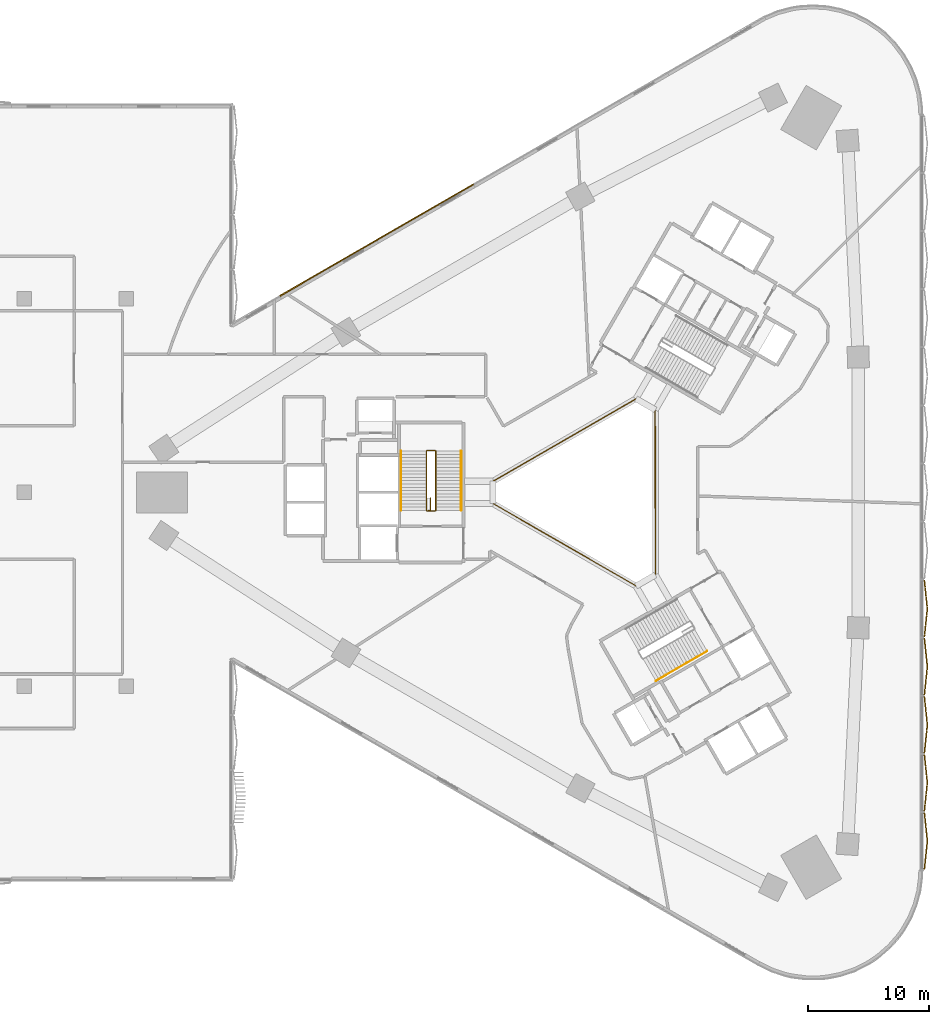
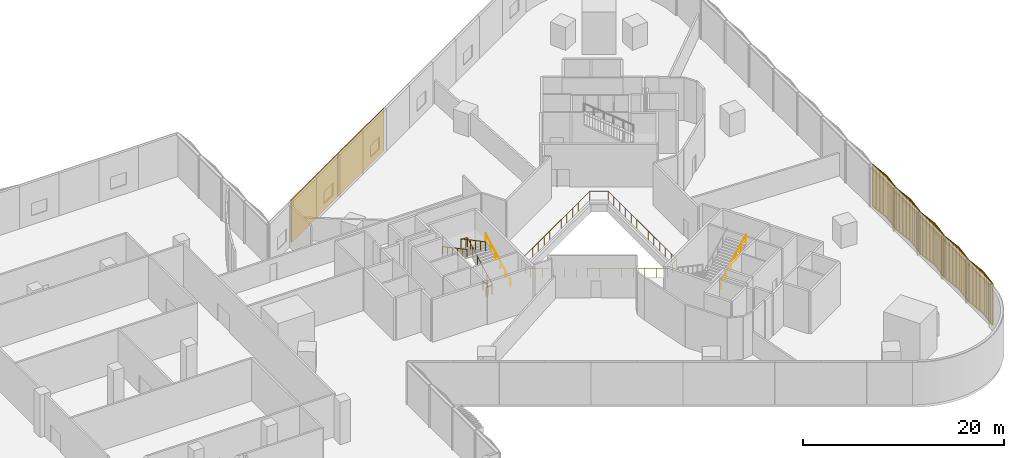
# One storey, part 27 of 31: 7 coverings, 5 railings.
"""IFC4 building model written with IfcOpenShell, lengths in metres."""

from ifc_helpers import new_model, si_unit, direction, frame, frame_2d, origin, origin_2d, place, context, subcontext, project, spatial, rectangle, circle, extrude, source, transform, mapped, material, layer, layer_set, type_object, element, save


model = new_model("IFC4")

# Units and contexts
model_context = context("Model", 3, precision=1e-05, world=origin(), true_north=direction((0.0, 1.0)))
body_context = subcontext(model_context, "Body", "Model", "MODEL_VIEW")
ifc_project = project(units=[si_unit("LENGTHUNIT", "METRE"), si_unit("AREAUNIT", "SQUARE_METRE"), si_unit("VOLUMEUNIT", "CUBIC_METRE"), si_unit("PLANEANGLEUNIT", "RADIAN"), si_unit("MASSUNIT", "GRAM", prefix="KILO")], contexts=[model_context])

# Site, building, storey
site_placement = place(None, origin())
site = spatial("IfcSite", under=ifc_project, at=site_placement, CompositionType="ELEMENT")
building_placement = place(site_placement, origin())
building = spatial("IfcBuilding", under=site, at=building_placement, Name="Tamra Quay Hotel Tower", CompositionType="ELEMENT")
storey_placement = place(building_placement, frame((0.0, 0.0, 14.0)))
storey = spatial("IfcBuildingStorey", under=building, at=storey_placement, Name="L02", CompositionType="ELEMENT", Elevation=14.0)

# Railing
ifc_material_1 = material(Name="Guard atrium edge 1100")
railing_type_1 = type_object("IfcRailingType", Name="Guard atrium edge 1100", PredefinedType="GUARDRAIL", material=ifc_material_1)
railing_1_placement = place(storey_placement, frame((3.409912109375, 7.73095703125, 0.0)))
element("IfcRailing", 1, at=railing_1_placement, inside=storey, type_object=railing_type_1, Name="G-A", PredefinedType="GUARDRAIL", context=body_context, shape_type="SweptSolid", body=[
    extrude(circle(Radius=0.02392578125, at=origin_2d()), frame((0.0, 0.0, 1.076171875), z_axis=(0.864522091971, -0.502594819406, 0.0), x_axis=(0.502594819406, 0.864522091971, 0.0)), (0.0, 0.0, 1.0), 1.820556640625),
    extrude(circle(Radius=0.02392578125, at=origin_2d()), frame((1.573974609375, -0.9150390625, 1.076171875), z_axis=(0.000967828205, -0.999999531654, 0.0), x_axis=(0.999999531654, 0.000967828205, 0.0)), (0.0, 0.0, 1.0), 13.621826171875),
    extrude(circle(Radius=0.02392578125, at=origin_2d()), frame((1.587158203125, -14.536865234375, 1.076171875), z_axis=(-0.865052007415, -0.501682194688, 0.0), x_axis=(0.501682194688, -0.865052007415, 0.0)), (0.0, 0.0, 1.0), 1.832275390625),
    extrude(circle(Radius=0.02392578125, at=origin_2d()), frame((0.002197265625, -15.4560546875, 1.076171875), z_axis=(-0.866473474501, 0.499223114434, 0.0), x_axis=(-0.499223114434, -0.866473474501, 0.0)), (0.0, 0.0, 1.0), 13.617431640625),
    extrude(circle(Radius=0.02392578125, at=origin_2d()), frame((-11.796875, -8.657958984375, 1.076171875), z_axis=(-0.005428226658, 0.999985267069, 0.0), x_axis=(-0.999985267069, -0.005428226658, 0.0)), (0.0, 0.0, 1.0), 1.843994140625),
    extrude(circle(Radius=0.02392578125, at=origin_2d()), frame((-11.806884765625, -6.81396484375, 1.076171875), z_axis=(0.86589546234, 0.500224997676, 0.0), x_axis=(-0.500224997676, 0.86589546234, 0.0)), (0.0, 0.0, 1.0), 13.610107421875),
    extrude(circle(Radius=0.02392578125, at=origin_2d()), frame((-0.02197265625, -0.005859375, 1.076171875), z_axis=(0.966234939601, 0.25766265056, 0.0), x_axis=(-0.25766265056, 0.966234939601, 0.0)), (0.0, 0.0, 1.0), 0.022705078125),
    extrude(circle(Radius=0.02099609375, at=origin_2d()), origin(), (0.0, 0.0, 1.0), 1.052001953125),
    extrude(circle(Radius=0.02099609375, at=origin_2d()), frame((0.787109375, -0.45751953125, 0.0)), (0.0, 0.0, 1.0), 1.052001953125),
    extrude(circle(Radius=0.02099609375, at=origin_2d()), frame((1.573974609375, -0.9150390625, 0.0)), (0.0, 0.0, 1.0), 1.052001953125),
    extrude(circle(Radius=0.02099609375, at=origin_2d()), frame((1.5751953125, -2.05029296875, 0.0)), (0.0, 0.0, 1.0), 1.052001953125),
    extrude(circle(Radius=0.02099609375, at=origin_2d()), frame((1.576171875, -3.185302734375, 0.0)), (0.0, 0.0, 1.0), 1.052001953125),
    extrude(circle(Radius=0.02099609375, at=origin_2d()), frame((1.5771484375, -4.320556640625, 0.0)), (0.0, 0.0, 1.0), 1.052001953125),
    extrude(circle(Radius=0.02099609375, at=origin_2d()), frame((1.578369140625, -5.45556640625, 0.0)), (0.0, 0.0, 1.0), 1.052001953125),
    extrude(circle(Radius=0.02099609375, at=origin_2d()), frame((1.57958984375, -6.5908203125, 0.0)), (0.0, 0.0, 1.0), 1.052001953125),
    extrude(circle(Radius=0.02099609375, at=origin_2d()), frame((1.58056640625, -7.72607421875, 0.0)), (0.0, 0.0, 1.0), 1.052001953125),
    extrude(circle(Radius=0.02099609375, at=origin_2d()), frame((1.58154296875, -8.861083984375, 0.0)), (0.0, 0.0, 1.0), 1.052001953125),
    extrude(circle(Radius=0.02099609375, at=origin_2d()), frame((1.582763671875, -9.996337890625, 0.0)), (0.0, 0.0, 1.0), 1.052001953125),
    extrude(circle(Radius=0.02099609375, at=origin_2d()), frame((1.583984375, -11.13134765625, 0.0)), (0.0, 0.0, 1.0), 1.052001953125),
    extrude(circle(Radius=0.02099609375, at=origin_2d()), frame((1.5849609375, -12.2666015625, 0.0)), (0.0, 0.0, 1.0), 1.052001953125),
    extrude(circle(Radius=0.02099609375, at=origin_2d()), frame((1.5859375, -13.401611328125, 0.0)), (0.0, 0.0, 1.0), 1.052001953125),
    extrude(circle(Radius=0.02099609375, at=origin_2d()), frame((1.587158203125, -14.536865234375, 0.0)), (0.0, 0.0, 1.0), 1.052001953125),
    extrude(circle(Radius=0.02099609375, at=origin_2d()), frame((0.794677734375, -14.99658203125, 0.0)), (0.0, 0.0, 1.0), 1.052001953125),
    extrude(circle(Radius=0.02099609375, at=origin_2d()), frame((0.002197265625, -15.4560546875, 0.0)), (0.0, 0.0, 1.0), 1.052001953125),
    extrude(circle(Radius=0.02099609375, at=origin_2d()), frame((-0.98095703125, -14.8896484375, 0.0)), (0.0, 0.0, 1.0), 1.052001953125),
    extrude(circle(Radius=0.02099609375, at=origin_2d()), frame((-1.96435546875, -14.322998046875, 0.0)), (0.0, 0.0, 1.0), 1.052001953125),
    extrude(circle(Radius=0.02099609375, at=origin_2d()), frame((-2.947509765625, -13.756591796875, 0.0)), (0.0, 0.0, 1.0), 1.052001953125),
    extrude(circle(Radius=0.02099609375, at=origin_2d()), frame((-3.930908203125, -13.18994140625, 0.0)), (0.0, 0.0, 1.0), 1.052001953125),
    extrude(circle(Radius=0.02099609375, at=origin_2d()), frame((-4.9140625, -12.62353515625, 0.0)), (0.0, 0.0, 1.0), 1.052001953125),
    extrude(circle(Radius=0.02099609375, at=origin_2d()), frame((-5.8974609375, -12.05712890625, 0.0)), (0.0, 0.0, 1.0), 1.052001953125),
    extrude(circle(Radius=0.02099609375, at=origin_2d()), frame((-6.880615234375, -11.490478515625, 0.0)), (0.0, 0.0, 1.0), 1.052001953125),
    extrude(circle(Radius=0.02099609375, at=origin_2d()), frame((-7.86376953125, -10.924072265625, 0.0)), (0.0, 0.0, 1.0), 1.052001953125),
    extrude(circle(Radius=0.02099609375, at=origin_2d()), frame((-8.84716796875, -10.357421875, 0.0)), (0.0, 0.0, 1.0), 1.052001953125),
    extrude(circle(Radius=0.02099609375, at=origin_2d()), frame((-9.830322265625, -9.791015625, 0.0)), (0.0, 0.0, 1.0), 1.052001953125),
    extrude(circle(Radius=0.02099609375, at=origin_2d()), frame((-10.813720703125, -9.224365234375, 0.0)), (0.0, 0.0, 1.0), 1.052001953125),
    extrude(circle(Radius=0.02099609375, at=origin_2d()), frame((-11.796875, -8.657958984375, 0.0)), (0.0, 0.0, 1.0), 1.052001953125),
    extrude(circle(Radius=0.02099609375, at=origin_2d()), frame((-11.8017578125, -7.73583984375, 0.0)), (0.0, 0.0, 1.0), 1.052001953125),
    extrude(circle(Radius=0.02099609375, at=origin_2d()), frame((-11.806884765625, -6.81396484375, 0.0)), (0.0, 0.0, 1.0), 1.052001953125),
    extrude(circle(Radius=0.02099609375, at=origin_2d()), frame((-10.82470703125, -6.24658203125, 0.0)), (0.0, 0.0, 1.0), 1.052001953125),
    extrude(circle(Radius=0.02099609375, at=origin_2d()), frame((-9.8427734375, -5.67919921875, 0.0)), (0.0, 0.0, 1.0), 1.052001953125),
    extrude(circle(Radius=0.02099609375, at=origin_2d()), frame((-8.860595703125, -5.11181640625, 0.0)), (0.0, 0.0, 1.0), 1.052001953125),
    extrude(circle(Radius=0.02099609375, at=origin_2d()), frame((-7.878662109375, -4.544677734375, 0.0)), (0.0, 0.0, 1.0), 1.052001953125),
    extrude(circle(Radius=0.02099609375, at=origin_2d()), frame((-6.896484375, -3.977294921875, 0.0)), (0.0, 0.0, 1.0), 1.052001953125),
    extrude(circle(Radius=0.02099609375, at=origin_2d()), frame((-5.91455078125, -3.409912109375, 0.0)), (0.0, 0.0, 1.0), 1.052001953125),
    extrude(circle(Radius=0.02099609375, at=origin_2d()), frame((-4.932373046875, -2.842529296875, 0.0)), (0.0, 0.0, 1.0), 1.052001953125),
    extrude(circle(Radius=0.02099609375, at=origin_2d()), frame((-3.9501953125, -2.275146484375, 0.0)), (0.0, 0.0, 1.0), 1.052001953125),
    extrude(circle(Radius=0.02099609375, at=origin_2d()), frame((-2.96826171875, -1.7080078125, 0.0)), (0.0, 0.0, 1.0), 1.052001953125),
    extrude(circle(Radius=0.02099609375, at=origin_2d()), frame((-1.986083984375, -1.140625, 0.0)), (0.0, 0.0, 1.0), 1.052001953125),
    extrude(circle(Radius=0.02099609375, at=origin_2d()), frame((-1.004150390625, -0.5732421875, 0.0)), (0.0, 0.0, 1.0), 1.052001953125),
    extrude(circle(Radius=0.02099609375, at=origin_2d()), frame((-0.02197265625, -0.005859375, 0.0)), (0.0, 0.0, 1.0), 1.052001953125),
])

# Coverings
ifc_material_2 = material(Name="Precast concrete M60 terracotta-coloured pierced relief", Category="masonry")
ifc_layer = layer(ifc_material_2, 0.10009765625)
ifc_layer_set = layer_set([ifc_layer], Name="PIERCED RELIEF PANEL 100")
covering_type_1 = type_object("IfcCoveringType", Name="PIERCED RELIEF PANEL 100", PredefinedType="CLADDING", material=ifc_layer_set)
for number, where, z_axis, x_axis, name in (
    (2, (-14.017822265625, 23.13330078125, 0.0), (0.0, 0.0, 1.0), (-0.866214936261, -0.499671576337, 0.0), "Relief panel L02.NW.06"),
    (3, (-22.021484375, 18.5166015625, 0.0), (0.0, 0.0, 1.0), (-0.866214936261, -0.499671576337, 0.0), "Relief panel L02.NW.08"),
):
    element("IfcCovering", number, at=place(storey_placement, frame(where, z_axis=z_axis, x_axis=x_axis)), inside=storey, type_object=covering_type_1, Name=name, PredefinedType="CLADDING", context=body_context, shape_type="SweptSolid", body=[
        extrude(rectangle(XDim=9.2197265625, YDim=0.10009765625, at=origin_2d()), origin(), (0.0, 0.0, 1.0), 5.14990234375),
    ])

# Railings
ifc_material_3 = material(Name="Stair guard 1100")
railing_type_2 = type_object("IfcRailingType", Name="Stair guard 1100", PredefinedType="GUARDRAIL", material=ifc_material_3)
railing_2_placement = place(storey_placement, frame((-13.561767578125, -0.460205078125, 0.0)))
element("IfcRailing", 4, at=railing_2_placement, inside=storey, type_object=railing_type_2, Name="GR", PredefinedType="GUARDRAIL", context=body_context, shape_type="SweptSolid", body=[
    extrude(circle(Radius=0.02392578125, at=origin_2d()), frame((0.0, 0.0, 1.076171875), z_axis=(0.0, -1.0, 0.0), x_axis=(1.0, 0.0, 0.0)), (0.0, 0.0, 1.0), 1.0),
    extrude(circle(Radius=0.02392578125, at=origin_2d()), frame((0.0, -1.0, 1.076171875), z_axis=(-0.970192322573, -0.242336248258, 0.0), x_axis=(0.242336248258, -0.970192322573, 0.0)), (0.0, 0.0, 1.0), 0.2880859375),
    extrude(circle(Radius=0.02392578125, at=origin_2d()), frame((-0.279541015625, -1.06982421875, 1.076171875), z_axis=(1.0, 0.0, 0.0), x_axis=(0.0, 1.0, 0.0)), (0.0, 0.0, 1.0), 0.658935546875),
    extrude(circle(Radius=0.02392578125, at=origin_2d()), frame((0.37939453125, -1.06982421875, 1.076171875), z_axis=(0.310570770478, 0.310570770478, 0.898382765334), x_axis=(-0.707106781187, 0.707106781187, 0.0)), (0.0, 0.0, 1.0), 0.1611328125),
    extrude(circle(Radius=0.02392578125, at=origin_2d()), frame((0.429443359375, -1.019775390625, 1.220703125), z_axis=(0.0, 0.882799760864, 0.469749488789), x_axis=(-1.0, 0.0, 0.0)), (0.0, 0.0, 1.0), 5.5458984375),
    extrude(circle(Radius=0.02392578125, at=origin_2d()), frame((0.429443359375, 3.876220703125, 3.826171875), z_axis=(-0.708833529934, 0.705375805398, 0.0), x_axis=(-0.705375805398, -0.708833529934, 0.0)), (0.0, 0.0, 1.0), 0.070556640625),
    extrude(circle(Radius=0.02392578125, at=origin_2d()), frame((0.37939453125, 3.926025390625, 3.826171875), z_axis=(-1.0, 0.0, 0.0), x_axis=(0.0, -1.0, 0.0)), (0.0, 0.0, 1.0), 0.658935546875),
    extrude(circle(Radius=0.02392578125, at=origin_2d()), frame((-0.279541015625, 3.926025390625, 3.826171875), z_axis=(-0.310716642909, -0.309200951968, 0.898804728026), x_axis=(0.705375805398, -0.708833529934, 0.0)), (0.0, 0.0, 1.0), 0.1611328125),
    extrude(circle(Radius=0.02392578125, at=origin_2d()), frame((-0.32958984375, 3.876220703125, 3.970703125), z_axis=(0.0, -0.882799760864, 0.469749488789), x_axis=(1.0, 0.0, 0.0)), (0.0, 0.0, 1.0), 5.5458984375),
    extrude(circle(Radius=0.02099609375, at=origin_2d()), origin(), (0.0, 0.0, 1.0), 1.052001953125),
    extrude(circle(Radius=0.02099609375, at=origin_2d()), frame((0.0, -1.0, 0.0)), (0.0, 0.0, 1.0), 1.052001953125),
    extrude(circle(Radius=0.02099609375, at=origin_2d()), frame((-0.279541015625, -1.06982421875, 0.0)), (0.0, 0.0, 1.0), 1.052001953125),
    extrude(circle(Radius=0.02099609375, at=origin_2d()), frame((0.37939453125, -1.06982421875, 0.0)), (0.0, 0.0, 1.0), 1.052001953125),
    extrude(circle(Radius=0.02099609375, at=origin_2d()), frame((0.429443359375, -1.019775390625, 0.144775390625)), (0.0, 0.0, 1.0), 1.052001953125),
    extrude(circle(Radius=0.02099609375, at=origin_2d()), frame((0.429443359375, -0.04052734375, 0.665771484375)), (0.0, 0.0, 1.0), 1.052001953125),
    extrude(circle(Radius=0.02099609375, at=origin_2d()), frame((0.429443359375, 0.938720703125, 1.186767578125)), (0.0, 0.0, 1.0), 1.052001953125),
    extrude(circle(Radius=0.02099609375, at=origin_2d()), frame((0.429443359375, 1.917724609375, 1.7080078125)), (0.0, 0.0, 1.0), 1.052001953125),
    extrude(circle(Radius=0.02099609375, at=origin_2d()), frame((0.429443359375, 2.89697265625, 2.22900390625)), (0.0, 0.0, 1.0), 1.052001953125),
    extrude(circle(Radius=0.02099609375, at=origin_2d()), frame((0.429443359375, 3.876220703125, 2.75)), (0.0, 0.0, 1.0), 1.052001953125),
    extrude(circle(Radius=0.02099609375, at=origin_2d()), frame((0.37939453125, 3.926025390625, 2.75)), (0.0, 0.0, 1.0), 1.052001953125),
    extrude(circle(Radius=0.02099609375, at=origin_2d()), frame((-0.279541015625, 3.926025390625, 2.75)), (0.0, 0.0, 1.0), 1.052001953125),
    extrude(circle(Radius=0.02099609375, at=origin_2d()), frame((-0.32958984375, 3.876220703125, 2.894775390625)), (0.0, 0.0, 1.0), 1.052001953125),
    extrude(circle(Radius=0.02099609375, at=origin_2d()), frame((-0.32958984375, 2.89697265625, 3.415771484375)), (0.0, 0.0, 1.0), 1.052001953125),
    extrude(circle(Radius=0.02099609375, at=origin_2d()), frame((-0.32958984375, 1.917724609375, 3.936767578125)), (0.0, 0.0, 1.0), 1.052001953125),
    extrude(circle(Radius=0.02099609375, at=origin_2d()), frame((-0.32958984375, 0.938720703125, 4.4580078125)), (0.0, 0.0, 1.0), 1.052001953125),
    extrude(circle(Radius=0.02099609375, at=origin_2d()), frame((-0.32958984375, -0.04052734375, 4.97900390625)), (0.0, 0.0, 1.0), 1.052001953125),
    extrude(circle(Radius=0.02099609375, at=origin_2d()), frame((-0.32958984375, -1.019775390625, 5.5)), (0.0, 0.0, 1.0), 1.052001953125),
])
ifc_material_4 = material(Name="Stair handrail 900")
railing_type_3 = type_object("IfcRailingType", Name="Stair handrail 900", PredefinedType="HANDRAIL", material=ifc_material_4)
railing_3_placement = place(storey_placement, frame((-11.0322265625, -1.47998046875, 0.144775390625)))
element("IfcRailing", 5, at=railing_3_placement, inside=storey, type_object=railing_type_3, Name="HR", PredefinedType="HANDRAIL", context=body_context, shape_type="SweptSolid", body=[
    extrude(circle(Radius=0.02392578125, at=origin_2d()), frame((0.0, 0.0, 0.8759765625), z_axis=(0.0, 0.882799760864, 0.469749488789), x_axis=(-1.0, 0.0, 0.0)), (0.0, 0.0, 1.0), 5.5458984375),
    extrude(circle(Radius=0.02099609375, at=origin_2d()), origin(), (0.0, 0.0, 1.0), 0.851806640625),
    extrude(circle(Radius=0.02099609375, at=origin_2d()), frame((0.0, 0.979248046875, 0.52099609375)), (0.0, 0.0, 1.0), 0.851806640625),
    extrude(circle(Radius=0.02099609375, at=origin_2d()), frame((0.0, 1.95849609375, 1.0419921875)), (0.0, 0.0, 1.0), 0.851806640625),
    extrude(circle(Radius=0.02099609375, at=origin_2d()), frame((0.0, 2.9375, 1.563232421875)), (0.0, 0.0, 1.0), 0.851806640625),
    extrude(circle(Radius=0.02099609375, at=origin_2d()), frame((0.0, 3.916748046875, 2.084228515625)), (0.0, 0.0, 1.0), 0.851806640625),
    extrude(circle(Radius=0.02099609375, at=origin_2d()), frame((0.0, 4.89599609375, 2.605224609375)), (0.0, 0.0, 1.0), 0.851806640625),
])
railing_4_placement = place(storey_placement, frame((-15.9912109375, 3.416015625, 2.894775390625)))
element("IfcRailing", 6, at=railing_4_placement, inside=storey, type_object=railing_type_3, Name="HR", PredefinedType="HANDRAIL", context=body_context, shape_type="SweptSolid", body=[
    extrude(circle(Radius=0.02392578125, at=origin_2d()), frame((0.0, 0.0, 0.8759765625), z_axis=(0.0, -0.882799760864, 0.469749488789), x_axis=(1.0, 0.0, 0.0)), (0.0, 0.0, 1.0), 5.5458984375),
    extrude(circle(Radius=0.02099609375, at=origin_2d()), origin(), (0.0, 0.0, 1.0), 0.851806640625),
    extrude(circle(Radius=0.02099609375, at=origin_2d()), frame((0.0, -0.979248046875, 0.52099609375)), (0.0, 0.0, 1.0), 0.851806640625),
    extrude(circle(Radius=0.02099609375, at=origin_2d()), frame((0.0, -1.95849609375, 1.0419921875)), (0.0, 0.0, 1.0), 0.851806640625),
    extrude(circle(Radius=0.02099609375, at=origin_2d()), frame((0.0, -2.9375, 1.563232421875)), (0.0, 0.0, 1.0), 0.851806640625),
    extrude(circle(Radius=0.02099609375, at=origin_2d()), frame((0.0, -3.916748046875, 2.084228515625)), (0.0, 0.0, 1.0), 0.851806640625),
    extrude(circle(Radius=0.02099609375, at=origin_2d()), frame((0.0, -4.89599609375, 2.605224609375)), (0.0, 0.0, 1.0), 0.851806640625),
])
railing_5_placement = place(storey_placement, frame((5.037353515625, -15.556884765625, 2.894775390625)))
element("IfcRailing", 7, at=railing_5_placement, inside=storey, type_object=railing_type_3, Name="HR", PredefinedType="HANDRAIL", context=body_context, shape_type="SweptSolid", body=[
    extrude(circle(Radius=0.02392578125, at=origin_2d()), frame((0.0, 0.0, 0.8759765625), z_axis=(0.764522017745, 0.441403942646, 0.469753811905), x_axis=(-0.500005904428, 0.866021994834, 0.0)), (0.0, 0.0, 1.0), 5.5458984375),
    extrude(circle(Radius=0.02099609375, at=origin_2d()), origin(), (0.0, 0.0, 1.0), 0.851806640625),
    extrude(circle(Radius=0.02099609375, at=origin_2d()), frame((0.847900390625, 0.489501953125, 0.52099609375)), (0.0, 0.0, 1.0), 0.851806640625),
    extrude(circle(Radius=0.02099609375, at=origin_2d()), frame((1.696044921875, 0.979248046875, 1.0419921875)), (0.0, 0.0, 1.0), 0.851806640625),
    extrude(circle(Radius=0.02099609375, at=origin_2d()), frame((2.5439453125, 1.46875, 1.563232421875)), (0.0, 0.0, 1.0), 0.851806640625),
    extrude(circle(Radius=0.02099609375, at=origin_2d()), frame((3.39208984375, 1.95849609375, 2.084228515625)), (0.0, 0.0, 1.0), 0.851806640625),
    extrude(circle(Radius=0.02099609375, at=origin_2d()), frame((4.239990234375, 2.447998046875, 2.605224609375)), (0.0, 0.0, 1.0), 0.851806640625),
])

# Coverings
ifc_material_5 = material(Name="Terracotta baguette extruded", Category="masonry")
covering_type_2 = type_object("IfcCoveringType", Name="BAGUETTE SCREEN PODIUM-SHALLOW H5150", PredefinedType="USERDEFINED", material=ifc_material_5)
shared_shape = source(origin(), body_context, "Body", "SweptSolid", [
    extrude(rectangle(XDim=2.365478515625, YDim=0.06005859375, at=frame_2d((1.1826171875, 0.030029296875))), frame((-2.35888671875, -0.0576171875, -0.1201171875), z_axis=(0.0, 0.0, 1.0), x_axis=(0.994521895368, -0.104528463268, 0.0)), (0.0, 0.0, 1.0), 0.1201171875),
    extrude(rectangle(XDim=2.365478515625, YDim=0.06005859375, at=frame_2d((1.1826171875, 0.030029296875))), frame((-2.35888671875, -0.0576171875, -5.14990234375), z_axis=(0.0, 0.0, 1.0), x_axis=(0.994521895368, -0.104528463268, 0.0)), (0.0, 0.0, 1.0), 0.1201171875),
    extrude(rectangle(XDim=0.094970703125, YDim=0.10009765625, at=frame_2d((0.04736328125, 0.050048828125))), frame((-2.35107421875, -0.133056640625, -5.090087890625)), (0.0, 0.0, 1.0), 5.030029296875),
    extrude(rectangle(XDim=0.094970703125, YDim=0.10009765625, at=frame_2d((0.04736328125, 0.050048828125))), frame((-2.2529296875, -0.1435546875, -5.090087890625)), (0.0, 0.0, 1.0), 5.030029296875),
    extrude(rectangle(XDim=0.094970703125, YDim=0.10009765625, at=frame_2d((0.04736328125, 0.050048828125))), frame((-2.155029296875, -0.15380859375, -5.090087890625)), (0.0, 0.0, 1.0), 5.030029296875),
    extrude(rectangle(XDim=0.094970703125, YDim=0.10009765625, at=frame_2d((0.04736328125, 0.050048828125))), frame((-2.056884765625, -0.1640625, -5.090087890625)), (0.0, 0.0, 1.0), 5.030029296875),
    extrude(rectangle(XDim=0.094970703125, YDim=0.10009765625, at=frame_2d((0.04736328125, 0.050048828125))), frame((-1.958984375, -0.17431640625, -5.090087890625)), (0.0, 0.0, 1.0), 5.030029296875),
    extrude(rectangle(XDim=0.094970703125, YDim=0.10009765625, at=frame_2d((0.04736328125, 0.050048828125))), frame((-1.86083984375, -0.1845703125, -5.090087890625)), (0.0, 0.0, 1.0), 5.030029296875),
    extrude(rectangle(XDim=0.094970703125, YDim=0.10009765625, at=frame_2d((0.04736328125, 0.050048828125))), frame((-1.762939453125, -0.195068359375, -5.090087890625)), (0.0, 0.0, 1.0), 5.030029296875),
    extrude(rectangle(XDim=0.094970703125, YDim=0.10009765625, at=frame_2d((0.04736328125, 0.050048828125))), frame((-1.664794921875, -0.205322265625, -5.090087890625)), (0.0, 0.0, 1.0), 5.030029296875),
    extrude(rectangle(XDim=0.094970703125, YDim=0.10009765625, at=frame_2d((0.04736328125, 0.050048828125))), frame((-1.56689453125, -0.215576171875, -5.090087890625)), (0.0, 0.0, 1.0), 5.030029296875),
    extrude(rectangle(XDim=0.094970703125, YDim=0.10009765625, at=frame_2d((0.04736328125, 0.050048828125))), frame((-1.46875, -0.225830078125, -5.090087890625)), (0.0, 0.0, 1.0), 5.030029296875),
    extrude(rectangle(XDim=0.094970703125, YDim=0.10009765625, at=frame_2d((0.04736328125, 0.050048828125))), frame((-1.370849609375, -0.236083984375, -5.090087890625)), (0.0, 0.0, 1.0), 5.030029296875),
    extrude(rectangle(XDim=0.094970703125, YDim=0.10009765625, at=frame_2d((0.04736328125, 0.050048828125))), frame((-1.272705078125, -0.24658203125, -5.090087890625)), (0.0, 0.0, 1.0), 5.030029296875),
    extrude(rectangle(XDim=0.094970703125, YDim=0.10009765625, at=frame_2d((0.04736328125, 0.050048828125))), frame((-1.1748046875, -0.2568359375, -5.090087890625)), (0.0, 0.0, 1.0), 5.030029296875),
    extrude(rectangle(XDim=0.094970703125, YDim=0.10009765625, at=frame_2d((0.04736328125, 0.050048828125))), frame((-1.07666015625, -0.26708984375, -5.090087890625)), (0.0, 0.0, 1.0), 5.030029296875),
    extrude(rectangle(XDim=0.094970703125, YDim=0.10009765625, at=frame_2d((0.04736328125, 0.050048828125))), frame((-0.978759765625, -0.27734375, -5.090087890625)), (0.0, 0.0, 1.0), 5.030029296875),
    extrude(rectangle(XDim=0.094970703125, YDim=0.10009765625, at=frame_2d((0.04736328125, 0.050048828125))), frame((-0.880615234375, -0.28759765625, -5.090087890625)), (0.0, 0.0, 1.0), 5.030029296875),
    extrude(rectangle(XDim=0.094970703125, YDim=0.10009765625, at=frame_2d((0.04736328125, 0.050048828125))), frame((-0.78271484375, -0.298095703125, -5.090087890625)), (0.0, 0.0, 1.0), 5.030029296875),
    extrude(rectangle(XDim=0.094970703125, YDim=0.10009765625, at=frame_2d((0.04736328125, 0.050048828125))), frame((-0.6845703125, -0.308349609375, -5.090087890625)), (0.0, 0.0, 1.0), 5.030029296875),
    extrude(rectangle(XDim=0.094970703125, YDim=0.10009765625, at=frame_2d((0.04736328125, 0.050048828125))), frame((-0.586669921875, -0.318603515625, -5.090087890625)), (0.0, 0.0, 1.0), 5.030029296875),
    extrude(rectangle(XDim=0.094970703125, YDim=0.10009765625, at=frame_2d((0.04736328125, 0.050048828125))), frame((-0.488525390625, -0.328857421875, -5.090087890625)), (0.0, 0.0, 1.0), 5.030029296875),
    extrude(rectangle(XDim=0.094970703125, YDim=0.10009765625, at=frame_2d((0.04736328125, 0.050048828125))), frame((-0.390625, -0.339111328125, -5.090087890625)), (0.0, 0.0, 1.0), 5.030029296875),
    extrude(rectangle(XDim=0.094970703125, YDim=0.10009765625, at=frame_2d((0.04736328125, 0.050048828125))), frame((-0.29248046875, -0.349609375, -5.090087890625)), (0.0, 0.0, 1.0), 5.030029296875),
    extrude(rectangle(XDim=0.094970703125, YDim=0.10009765625, at=frame_2d((0.04736328125, 0.050048828125))), frame((-0.194580078125, -0.35986328125, -5.090087890625)), (0.0, 0.0, 1.0), 5.030029296875),
    extrude(rectangle(XDim=0.094970703125, YDim=0.10009765625, at=frame_2d((0.04736328125, 0.050048828125))), frame((-0.096435546875, -0.3701171875, -5.090087890625)), (0.0, 0.0, 1.0), 5.030029296875),
    extrude(rectangle(XDim=2.365478515625, YDim=0.06005859375, at=frame_2d((1.1826171875, 0.030029296875))), frame((0.00634765625, -0.304931640625, -0.1201171875), z_axis=(0.0, 0.0, 1.0), x_axis=(0.994521895368, 0.104528463268, 0.0)), (0.0, 0.0, 1.0), 0.1201171875),
    extrude(rectangle(XDim=2.365478515625, YDim=0.06005859375, at=frame_2d((1.1826171875, 0.030029296875))), frame((0.00634765625, -0.304931640625, -5.14990234375), z_axis=(0.0, 0.0, 1.0), x_axis=(0.994521895368, 0.104528463268, 0.0)), (0.0, 0.0, 1.0), 0.1201171875),
    extrude(rectangle(XDim=0.094970703125, YDim=0.10009765625, at=frame_2d((0.04736328125, 0.050048828125))), frame((0.00146484375, -0.3701171875, -5.090087890625)), (0.0, 0.0, 1.0), 5.030029296875),
    extrude(rectangle(XDim=0.094970703125, YDim=0.10009765625, at=frame_2d((0.04736328125, 0.050048828125))), frame((0.099609375, -0.35986328125, -5.090087890625)), (0.0, 0.0, 1.0), 5.030029296875),
    extrude(rectangle(XDim=0.094970703125, YDim=0.10009765625, at=frame_2d((0.04736328125, 0.050048828125))), frame((0.197509765625, -0.349609375, -5.090087890625)), (0.0, 0.0, 1.0), 5.030029296875),
    extrude(rectangle(XDim=0.094970703125, YDim=0.10009765625, at=frame_2d((0.04736328125, 0.050048828125))), frame((0.295654296875, -0.339111328125, -5.090087890625)), (0.0, 0.0, 1.0), 5.030029296875),
    extrude(rectangle(XDim=0.094970703125, YDim=0.10009765625, at=frame_2d((0.04736328125, 0.050048828125))), frame((0.3935546875, -0.328857421875, -5.090087890625)), (0.0, 0.0, 1.0), 5.030029296875),
    extrude(rectangle(XDim=0.094970703125, YDim=0.10009765625, at=frame_2d((0.04736328125, 0.050048828125))), frame((0.49169921875, -0.318603515625, -5.090087890625)), (0.0, 0.0, 1.0), 5.030029296875),
    extrude(rectangle(XDim=0.094970703125, YDim=0.10009765625, at=frame_2d((0.04736328125, 0.050048828125))), frame((0.589599609375, -0.308349609375, -5.090087890625)), (0.0, 0.0, 1.0), 5.030029296875),
    extrude(rectangle(XDim=0.094970703125, YDim=0.10009765625, at=frame_2d((0.04736328125, 0.050048828125))), frame((0.687744140625, -0.298095703125, -5.090087890625)), (0.0, 0.0, 1.0), 5.030029296875),
    extrude(rectangle(XDim=0.094970703125, YDim=0.10009765625, at=frame_2d((0.04736328125, 0.050048828125))), frame((0.78564453125, -0.28759765625, -5.090087890625)), (0.0, 0.0, 1.0), 5.030029296875),
    extrude(rectangle(XDim=0.094970703125, YDim=0.10009765625, at=frame_2d((0.04736328125, 0.050048828125))), frame((0.8837890625, -0.27734375, -5.090087890625)), (0.0, 0.0, 1.0), 5.030029296875),
    extrude(rectangle(XDim=0.094970703125, YDim=0.10009765625, at=frame_2d((0.04736328125, 0.050048828125))), frame((0.981689453125, -0.26708984375, -5.090087890625)), (0.0, 0.0, 1.0), 5.030029296875),
    extrude(rectangle(XDim=0.094970703125, YDim=0.10009765625, at=frame_2d((0.04736328125, 0.050048828125))), frame((1.079833984375, -0.2568359375, -5.090087890625)), (0.0, 0.0, 1.0), 5.030029296875),
    extrude(rectangle(XDim=0.094970703125, YDim=0.10009765625, at=frame_2d((0.04736328125, 0.050048828125))), frame((1.177734375, -0.24658203125, -5.090087890625)), (0.0, 0.0, 1.0), 5.030029296875),
    extrude(rectangle(XDim=0.094970703125, YDim=0.10009765625, at=frame_2d((0.04736328125, 0.050048828125))), frame((1.27587890625, -0.236083984375, -5.090087890625)), (0.0, 0.0, 1.0), 5.030029296875),
    extrude(rectangle(XDim=0.094970703125, YDim=0.10009765625, at=frame_2d((0.04736328125, 0.050048828125))), frame((1.373779296875, -0.225830078125, -5.090087890625)), (0.0, 0.0, 1.0), 5.030029296875),
    extrude(rectangle(XDim=0.094970703125, YDim=0.10009765625, at=frame_2d((0.04736328125, 0.050048828125))), frame((1.471923828125, -0.215576171875, -5.090087890625)), (0.0, 0.0, 1.0), 5.030029296875),
    extrude(rectangle(XDim=0.094970703125, YDim=0.10009765625, at=frame_2d((0.04736328125, 0.050048828125))), frame((1.56982421875, -0.205322265625, -5.090087890625)), (0.0, 0.0, 1.0), 5.030029296875),
    extrude(rectangle(XDim=0.094970703125, YDim=0.10009765625, at=frame_2d((0.04736328125, 0.050048828125))), frame((1.66796875, -0.195068359375, -5.090087890625)), (0.0, 0.0, 1.0), 5.030029296875),
    extrude(rectangle(XDim=0.094970703125, YDim=0.10009765625, at=frame_2d((0.04736328125, 0.050048828125))), frame((1.765869140625, -0.1845703125, -5.090087890625)), (0.0, 0.0, 1.0), 5.030029296875),
    extrude(rectangle(XDim=0.094970703125, YDim=0.10009765625, at=frame_2d((0.04736328125, 0.050048828125))), frame((1.864013671875, -0.17431640625, -5.090087890625)), (0.0, 0.0, 1.0), 5.030029296875),
    extrude(rectangle(XDim=0.094970703125, YDim=0.10009765625, at=frame_2d((0.04736328125, 0.050048828125))), frame((1.9619140625, -0.1640625, -5.090087890625)), (0.0, 0.0, 1.0), 5.030029296875),
    extrude(rectangle(XDim=0.094970703125, YDim=0.10009765625, at=frame_2d((0.04736328125, 0.050048828125))), frame((2.06005859375, -0.15380859375, -5.090087890625)), (0.0, 0.0, 1.0), 5.030029296875),
    extrude(rectangle(XDim=0.094970703125, YDim=0.10009765625, at=frame_2d((0.04736328125, 0.050048828125))), frame((2.157958984375, -0.1435546875, -5.090087890625)), (0.0, 0.0, 1.0), 5.030029296875),
    extrude(rectangle(XDim=0.094970703125, YDim=0.10009765625, at=frame_2d((0.04736328125, 0.050048828125))), frame((2.256103515625, -0.133056640625, -5.090087890625)), (0.0, 0.0, 1.0), 5.030029296875),
])
for number, where, z_axis, x_axis, name in (
    (8, (27.14794921875, -28.77880859375, 5.14990234375), (0.0, 0.0, 1.0), (0.0, 1.0, 0.0), "Baguette screen L02.E.f04"),
    (9, (27.14794921875, -23.982177734375, 5.14990234375), (0.0, 0.0, 1.0), (0.0, 1.0, 0.0), "Baguette screen L02.E.f05"),
    (10, (27.14794921875, -19.185791015625, 5.14990234375), (0.0, 0.0, 1.0), (0.0, 1.0, 0.0), "Baguette screen L02.E.f06"),
    (11, (27.14794921875, -14.389404296875, 5.14990234375), (0.0, 0.0, 1.0), (0.0, 1.0, 0.0), "Baguette screen L02.E.f07"),
    (12, (27.14794921875, -9.593017578125, 5.14990234375), (0.0, 0.0, 1.0), (0.0, 1.0, 0.0), "Baguette screen L02.E.f08"),
):
    element("IfcCovering", number, at=place(storey_placement, frame(where, z_axis=z_axis, x_axis=x_axis)), inside=storey, type_object=covering_type_2, Name=name, ObjectType="BAGUETTE SCREEN", PredefinedType="USERDEFINED", context=body_context, shape_type="MappedRepresentation", body=[
        mapped(shared_shape, transform((0.0, 0.0, 0.0), scale=1.0)),
    ])

save(model, "model.ifc")
